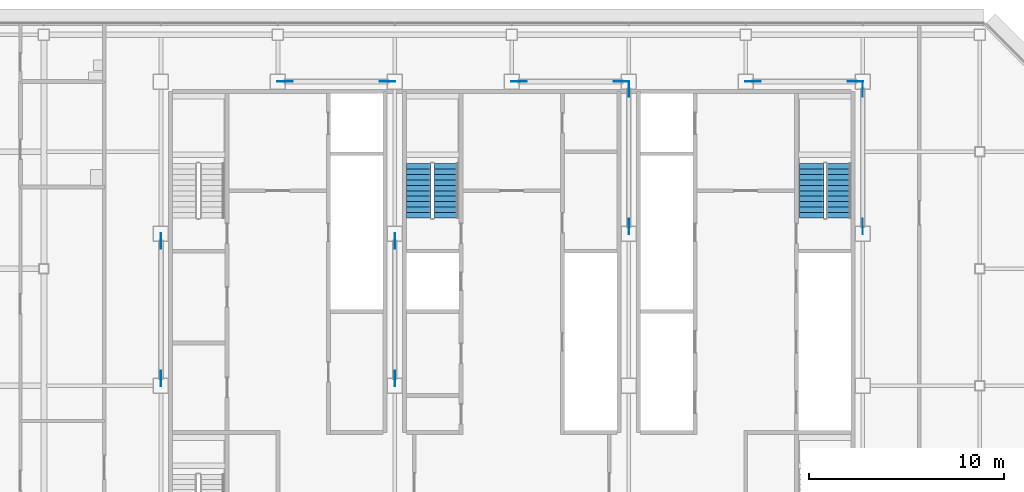
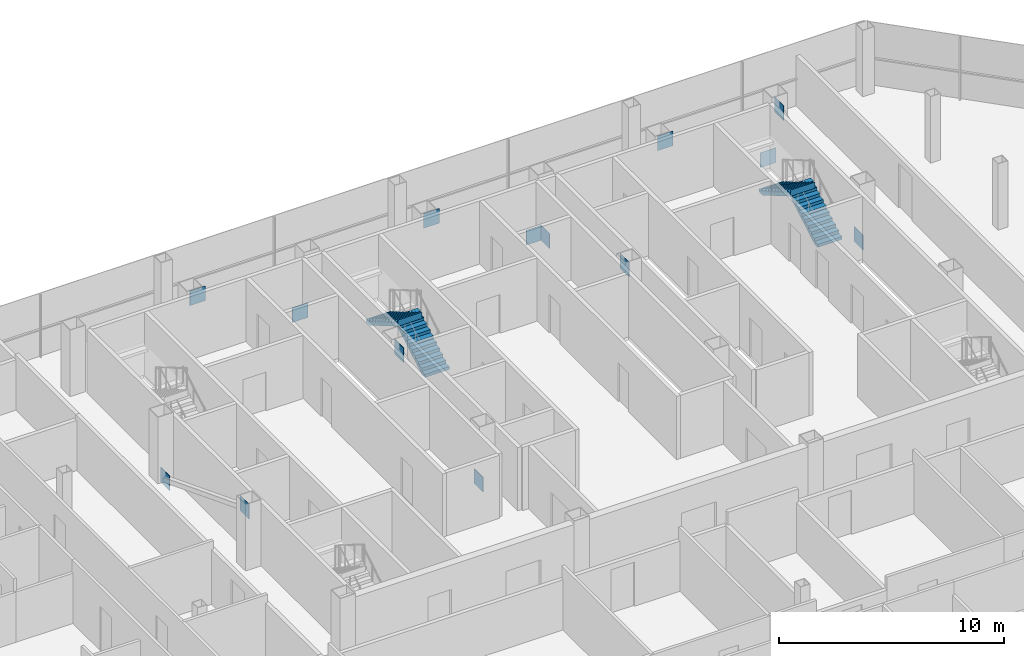
# One storey, part 26 of 28: 14 discrete accessories, 4 stair flights, 2 elements without a shape of their own.
"""IFC4 building model written with IfcOpenShell, lengths in metres."""

from ifc_helpers import new_model, si_unit, direction, frame, origin, origin_2d, place, context, subcontext, project, spatial, polyline, rectangle, outline, extrude, material, layer, layer_set, type_object, element, aggregate, save


model = new_model("IFC4")

# Units and contexts
model_context = context("Model", 3, precision=1e-05, world=origin(), true_north=direction((0.0, 1.0)))
body_context = subcontext(model_context, "Body", "Model", "MODEL_VIEW")
ifc_project = project(units=[si_unit("LENGTHUNIT", "METRE"), si_unit("AREAUNIT", "SQUARE_METRE"), si_unit("VOLUMEUNIT", "CUBIC_METRE"), si_unit("PLANEANGLEUNIT", "RADIAN"), si_unit("MASSUNIT", "GRAM", prefix="KILO")], contexts=[model_context])

# Site, building, storey
site_placement = place(None, origin())
site = spatial("IfcSite", under=ifc_project, at=site_placement, CompositionType="ELEMENT")
building_placement = place(site_placement, origin())
building = spatial("IfcBuilding", under=site, at=building_placement, Name="Sorahane Residences", CompositionType="ELEMENT")
storey_placement = place(building_placement, frame((0.0, 0.0, 266.60009765625)))
storey = spatial("IfcBuildingStorey", under=building, at=storey_placement, Name="L63", CompositionType="ELEMENT", Elevation=266.60009765625)

# Stair, stair flights
ifc_material_1 = material(Name="Concrete C40", Category="concrete")
stair_type = type_object("IfcStairType", Name="Dog-leg stair 1250 Concrete C40", PredefinedType="HALF_TURN_STAIR", material=ifc_material_1)
stair_1_placement = place(storey_placement, origin())
stair_1 = element("IfcStair", 1, at=stair_1_placement, inside=storey, type_object=stair_type, Name="L63 Stair S2", PredefinedType="HALF_TURN_STAIR")
ifc_material_2 = material(Name="Concrete C40", Category="concrete")
stair_flight_type = type_object("IfcStairFlightType", Name="Stair flight 1250 Concrete C40", PredefinedType="STRAIGHT", material=ifc_material_2)
stair_flight_1_placement = place(storey_placement, frame((40.77490234375, 38.60009765625, 0.0), z_axis=(0.0, 0.0, 1.0), x_axis=(0.0, 1.0, 0.0)))
stair_flight_1 = element("IfcStairFlight", 2, at=stair_flight_1_placement, type_object=stair_flight_type, Name="S2 flight 1", NumberOfRisers=11, NumberOfTreads=10, PredefinedType="STRAIGHT", RiserHeight=0.163636364, TreadLength=0.28, context=body_context, shape_type="SweptSolid", body=[
    extrude(outline(polyline([(-0.00146484375, 0.0), (-0.00146484375, 0.16357421875), (0.0, 0.16357421875), (0.280029296875, 0.16357421875), (0.280029296875, 0.327392578125), (0.56005859375, 0.327392578125), (0.56005859375, 0.490966796875), (0.840087890625, 0.490966796875), (0.840087890625, 0.654541015625), (1.1201171875, 0.654541015625), (1.1201171875, 0.818115234375), (1.39990234375, 0.818115234375), (1.39990234375, 0.98193359375), (1.679931640625, 0.98193359375), (1.679931640625, 1.1455078125), (1.9599609375, 1.1455078125), (1.9599609375, 1.30908203125), (2.239990234375, 1.30908203125), (2.239990234375, 1.47265625), (2.52001953125, 1.47265625), (2.52001953125, 1.636474609375), (2.800048828125, 1.636474609375), (2.800048828125, 1.800048828125), (2.800048828125, 1.462646484375), (2.59130859375, 1.3408203125), (2.3828125, 1.218994140625), (2.17431640625, 1.09716796875), (1.965576171875, 0.97509765625), (1.757080078125, 0.853271484375), (1.548583984375, 0.7314453125), (1.340087890625, 0.609375), (1.13134765625, 0.487548828125), (0.9228515625, 0.36572265625), (0.71435546875, 0.243896484375), (0.505615234375, 0.121826171875), (0.297119140625, 0.0), (-0.00146484375, 0.0)])), frame((0.0, 0.625, 0.0), z_axis=(0.0, -1.0, 0.0), x_axis=(1.0, 0.0, 0.0)), (0.0, 0.0, 1.0), 1.25),
])
stair_flight_2_placement = place(storey_placement, frame((39.375, 41.39990234375, 1.7998046875), z_axis=(0.0, 0.0, 1.0), x_axis=(0.0, -1.0, 0.0)))
stair_flight_2 = element("IfcStairFlight", 3, at=stair_flight_2_placement, type_object=stair_flight_type, Name="S2 flight 2", NumberOfRisers=11, NumberOfTreads=10, PredefinedType="STRAIGHT", RiserHeight=0.163636364, TreadLength=0.28, context=body_context, shape_type="SweptSolid", body=[
    extrude(outline(polyline([(0.0, 0.0), (0.0, 0.16357421875), (0.280029296875, 0.16357421875), (0.280029296875, 0.327392578125), (0.56005859375, 0.327392578125), (0.56005859375, 0.490966796875), (0.840087890625, 0.490966796875), (0.840087890625, 0.654541015625), (1.1201171875, 0.654541015625), (1.1201171875, 0.818115234375), (1.39990234375, 0.818115234375), (1.39990234375, 0.98193359375), (1.679931640625, 0.98193359375), (1.679931640625, 1.1455078125), (1.9599609375, 1.1455078125), (1.9599609375, 1.30908203125), (2.239990234375, 1.30908203125), (2.239990234375, 1.47265625), (2.52001953125, 1.47265625), (2.52001953125, 1.636474609375), (2.800048828125, 1.636474609375), (2.800048828125, 1.800048828125), (2.801513671875, 1.800048828125), (2.801513671875, 1.462646484375), (2.5927734375, 1.3408203125), (2.384033203125, 1.218994140625), (2.17529296875, 1.09716796875), (1.966796875, 0.97509765625), (1.758056640625, 0.853271484375), (1.54931640625, 0.7314453125), (1.340576171875, 0.609375), (1.1318359375, 0.487548828125), (0.923095703125, 0.36572265625), (0.714599609375, 0.243896484375), (0.505859375, 0.121826171875), (0.297119140625, 0.0), (0.0, 0.0)])), frame((0.0, 0.625, 0.0), z_axis=(0.0, -1.0, 0.0), x_axis=(1.0, 0.0, 0.0)), (0.0, 0.0, 1.0), 1.25),
])
aggregate(stair_1, [stair_flight_1, stair_flight_2])

stair_2_placement = place(storey_placement, origin())
stair_2 = element("IfcStair", 4, at=stair_2_placement, inside=storey, type_object=stair_type, Name="L63 Stair S3", PredefinedType="HALF_TURN_STAIR")
stair_flight_3_placement = place(storey_placement, frame((20.625, 38.60009765625, 0.0), z_axis=(0.0, 0.0, 1.0), x_axis=(0.0, 1.0, 0.0)))
stair_flight_3 = element("IfcStairFlight", 5, at=stair_flight_3_placement, type_object=stair_flight_type, Name="S3 flight 1", NumberOfRisers=11, NumberOfTreads=10, PredefinedType="STRAIGHT", RiserHeight=0.163636364, TreadLength=0.28, context=body_context, shape_type="SweptSolid", body=[
    extrude(outline(polyline([(-0.00146484375, 0.0), (-0.00146484375, 0.16357421875), (0.0, 0.16357421875), (0.280029296875, 0.16357421875), (0.280029296875, 0.327392578125), (0.56005859375, 0.327392578125), (0.56005859375, 0.490966796875), (0.840087890625, 0.490966796875), (0.840087890625, 0.654541015625), (1.1201171875, 0.654541015625), (1.1201171875, 0.818115234375), (1.39990234375, 0.818115234375), (1.39990234375, 0.98193359375), (1.679931640625, 0.98193359375), (1.679931640625, 1.1455078125), (1.9599609375, 1.1455078125), (1.9599609375, 1.30908203125), (2.239990234375, 1.30908203125), (2.239990234375, 1.47265625), (2.52001953125, 1.47265625), (2.52001953125, 1.636474609375), (2.800048828125, 1.636474609375), (2.800048828125, 1.800048828125), (2.800048828125, 1.462646484375), (2.59130859375, 1.3408203125), (2.3828125, 1.218994140625), (2.17431640625, 1.09716796875), (1.965576171875, 0.97509765625), (1.757080078125, 0.853271484375), (1.548583984375, 0.7314453125), (1.340087890625, 0.609375), (1.13134765625, 0.487548828125), (0.9228515625, 0.36572265625), (0.71435546875, 0.243896484375), (0.505615234375, 0.121826171875), (0.297119140625, 0.0), (-0.00146484375, 0.0)])), frame((0.0, 0.625, 0.0), z_axis=(0.0, -1.0, 0.0), x_axis=(1.0, 0.0, 0.0)), (0.0, 0.0, 1.0), 1.25),
])
stair_flight_4_placement = place(storey_placement, frame((19.22509765625, 41.39990234375, 1.7998046875), z_axis=(0.0, 0.0, 1.0), x_axis=(0.0, -1.0, 0.0)))
stair_flight_4 = element("IfcStairFlight", 6, at=stair_flight_4_placement, type_object=stair_flight_type, Name="S3 flight 2", NumberOfRisers=11, NumberOfTreads=10, PredefinedType="STRAIGHT", RiserHeight=0.163636364, TreadLength=0.28, context=body_context, shape_type="SweptSolid", body=[
    extrude(outline(polyline([(0.0, 0.0), (0.0, 0.16357421875), (0.280029296875, 0.16357421875), (0.280029296875, 0.327392578125), (0.56005859375, 0.327392578125), (0.56005859375, 0.490966796875), (0.840087890625, 0.490966796875), (0.840087890625, 0.654541015625), (1.1201171875, 0.654541015625), (1.1201171875, 0.818115234375), (1.39990234375, 0.818115234375), (1.39990234375, 0.98193359375), (1.679931640625, 0.98193359375), (1.679931640625, 1.1455078125), (1.9599609375, 1.1455078125), (1.9599609375, 1.30908203125), (2.239990234375, 1.30908203125), (2.239990234375, 1.47265625), (2.52001953125, 1.47265625), (2.52001953125, 1.636474609375), (2.800048828125, 1.636474609375), (2.800048828125, 1.800048828125), (2.801513671875, 1.800048828125), (2.801513671875, 1.462646484375), (2.5927734375, 1.3408203125), (2.384033203125, 1.218994140625), (2.17529296875, 1.09716796875), (1.966796875, 0.97509765625), (1.758056640625, 0.853271484375), (1.54931640625, 0.7314453125), (1.340576171875, 0.609375), (1.1318359375, 0.487548828125), (0.923095703125, 0.36572265625), (0.714599609375, 0.243896484375), (0.505859375, 0.121826171875), (0.297119140625, 0.0), (0.0, 0.0)])), frame((0.0, 0.625, 0.0), z_axis=(0.0, -1.0, 0.0), x_axis=(1.0, 0.0, 0.0)), (0.0, 0.0, 1.0), 1.25),
])
aggregate(stair_2, [stair_flight_3, stair_flight_4])

# Discrete accessories
ifc_material_3 = material(Name="Steel Q355B", Category="steel")
ifc_layer = layer(ifc_material_3, 0.02490234375)
ifc_layer_set = layer_set([ifc_layer], Name="Node plate Steel Q355B 25")
discrete_accessory_type = type_object("IfcDiscreteAccessoryType", Name="Node plate Steel Q355B 25", PredefinedType="BRACKET", material=ifc_layer_set)
for number, where, z_axis, x_axis, name in (
    (7, (6.0, 37.42724609375, -0.28564453125), (0.0, 0.0, 1.0), (0.0, 1.0, 0.0), "Node plate L63 br"),
    (8, (6.0, 30.372802734375, 2.45556640625), (0.0, 0.0, 1.0), (0.0, 1.0, 0.0), "Node plate L63 br"),
    (9, (18.0, 30.372802734375, -0.28564453125), (0.0, 0.0, 1.0), (0.0, 1.0, 0.0), "Node plate L63 br"),
    (10, (18.0, 37.42724609375, 2.45556640625), (0.0, 0.0, 1.0), (0.0, 1.0, 0.0), "Node plate L63 br"),
    (11, (30.0, 45.227294921875, -0.28564453125), (0.0, 0.0, 1.0), (0.0, 1.0, 0.0), "Node plate L63 br"),
    (12, (30.0, 38.1728515625, 2.45556640625), (0.0, 0.0, 1.0), (0.0, 1.0, 0.0), "Node plate L63 br"),
    (13, (42.0, 38.1728515625, -0.28564453125), (0.0, 0.0, 1.0), (0.0, 1.0, 0.0), "Node plate L63 br"),
    (14, (42.0, 45.227294921875, 2.45556640625), (0.0, 0.0, 1.0), (0.0, 1.0, 0.0), "Node plate L63 br"),
    (15, (17.634765625, 45.60009765625, -0.29345703125), (0.0, 0.0, 1.0), (1.0, 0.0, 0.0), "Node plate L63 br"),
    (16, (29.634765625, 45.60009765625, -0.29345703125), (0.0, 0.0, 1.0), (1.0, 0.0, 0.0), "Node plate L63 br"),
    (17, (41.634765625, 45.60009765625, -0.29345703125), (0.0, 0.0, 1.0), (1.0, 0.0, 0.0), "Node plate L63 br"),
    (18, (12.365234375, 45.60009765625, 2.462890625), (0.0, 0.0, 1.0), (1.0, 0.0, 0.0), "Node plate L63 br"),
    (19, (24.365234375, 45.60009765625, 2.462890625), (0.0, 0.0, 1.0), (1.0, 0.0, 0.0), "Node plate L63 br"),
    (20, (36.365234375, 45.60009765625, 2.462890625), (0.0, 0.0, 1.0), (1.0, 0.0, 0.0), "Node plate L63 br"),
):
    element("IfcDiscreteAccessory", number, at=place(storey_placement, frame(where, z_axis=z_axis, x_axis=x_axis)), inside=storey, type_object=discrete_accessory_type, Name=name, PredefinedType="BRACKET", context=body_context, shape_type="SweptSolid", body=[
        extrude(rectangle(XDim=0.800048828125, YDim=0.02490234375, at=origin_2d()), origin(), (0.0, 0.0, 1.0), 0.800048828125),
    ])

save(model, "model.ifc")
